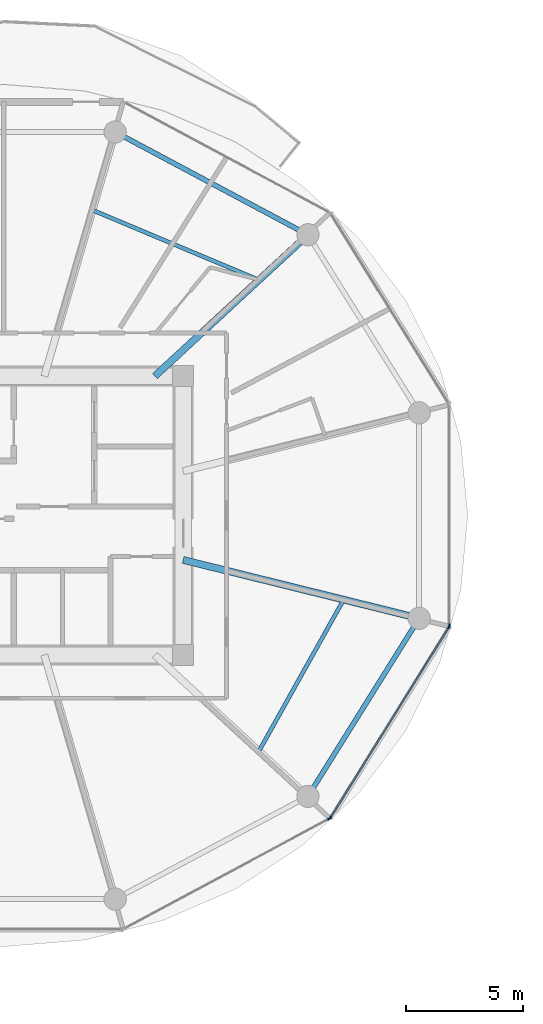
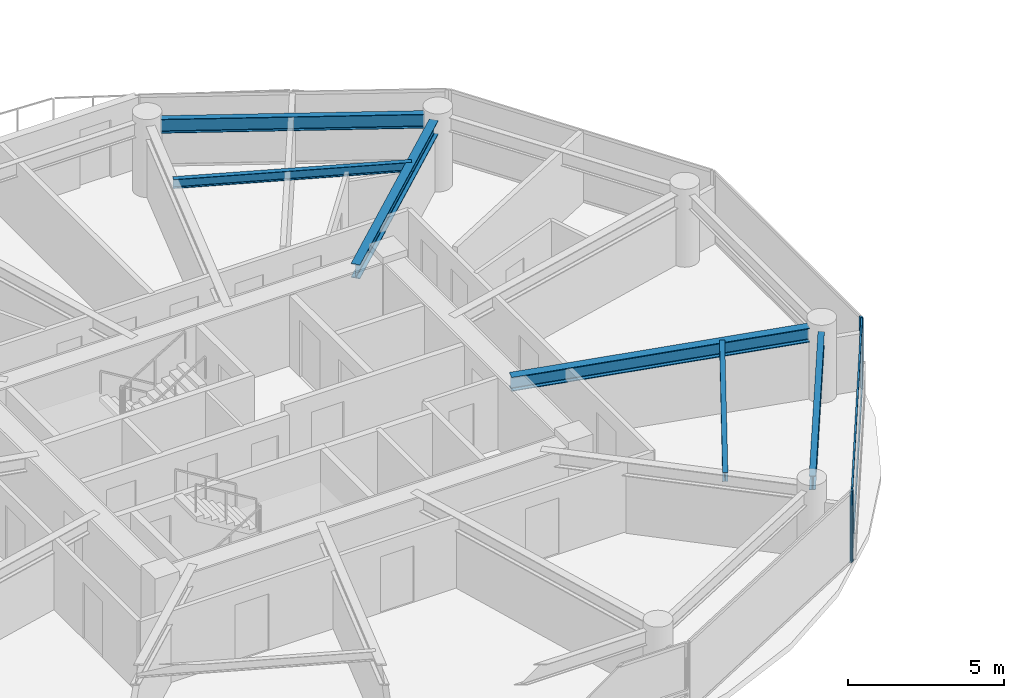
# One storey, part 5 of 26: 6 beams, 6 members, 3 elements without a shape of their own.
"""IFC4 building model written with IfcOpenShell, lengths in metres."""

from ifc_helpers import new_model, si_unit, direction, frame, origin, origin_2d, place, context, subcontext, project, spatial, rectangle, i_section, extrude, source, transform, mapped, material, layer, layer_set, material_profile, profile_set, type_object, type_shapes, element, aggregate, save


model = new_model("IFC4")

# Units and contexts
model_context = context("Model", 3, precision=1e-05, world=origin(), true_north=direction((0.0, 1.0)))
body_context = subcontext(model_context, "Body", "Model", "MODEL_VIEW")
ifc_project = project(units=[si_unit("LENGTHUNIT", "METRE"), si_unit("AREAUNIT", "SQUARE_METRE"), si_unit("VOLUMEUNIT", "CUBIC_METRE"), si_unit("PLANEANGLEUNIT", "RADIAN"), si_unit("MASSUNIT", "GRAM", prefix="KILO")], contexts=[model_context])

# Site, building, storey
site_placement = place(None, origin())
site = spatial("IfcSite", under=ifc_project, at=site_placement, CompositionType="ELEMENT")
building_placement = place(site_placement, origin())
building = spatial("IfcBuilding", under=site, at=building_placement, Name="Norrkilde Senior Care Towers", CompositionType="ELEMENT")
storey_placement = place(building_placement, frame((0.0, 0.0, 24.64990234375)))
storey = spatial("IfcBuildingStorey", under=building, at=storey_placement, Name="L06", CompositionType="ELEMENT", Elevation=24.64990234375)

# Beams
ifc_material_1 = material(Name="Steel S355", Category="steel")
ifc_material_profile_1 = material_profile(ifc_material_1, i_section(OverallWidth=0.2099609375, OverallDepth=0.550048828125, WebThickness=0.010986328125, FlangeThickness=0.01708984375, FilletRadius=0.02392578125, at=origin_2d()), Name="IPE 550")
ifc_profile_set_1 = profile_set([ifc_material_profile_1], Name="Steel S355")
beam_type_1 = type_object("IfcBeamType", Name="Perimeter Ring Spandrel Z1 IPE550", PredefinedType="SPANDREL", material=ifc_profile_set_1)
shared_shape_1 = source(origin(), body_context, "Body", "SweptSolid", [
    extrude(i_section(OverallWidth=0.2099609375, OverallDepth=0.550048828125, WebThickness=0.010986328125, FlangeThickness=0.01708984375, FilletRadius=0.02392578125, at=origin_2d()), origin(), (0.0, 0.0, 1.0), 8.090576171875),
])
beam_1_placement = place(storey_placement, frame((-14.7939453125, -11.61669921875, 2.51513671875), z_axis=(0.530004364821, 0.84799491347, 0.0), x_axis=(-0.84799491347, 0.530004364821, 0.0)))
element("IfcBeam", 1, at=beam_1_placement, inside=storey, type_object=beam_type_1, Name="L06 Drum W Perimeter Spandrel 11", PredefinedType="SPANDREL", context=body_context, shape_type="MappedRepresentation", body=[
    mapped(shared_shape_1, transform((0.0, 0.0, 0.0), x_axis=(1.0, 0.0, 0.0), y_axis=(0.0, 1.0, 0.0), z_axis=(0.0, 0.0, 1.0), scale=1.0)),
])
ifc_material_profile_2 = material_profile(ifc_material_1, i_section(OverallWidth=0.300048828125, OverallDepth=0.550048828125, WebThickness=0.014892578125, FlangeThickness=0.029052734375, FilletRadius=0.027099609375, at=origin_2d()), Name="HEB 550")
ifc_profile_set_2 = profile_set([ifc_material_profile_2], Name="Steel S355")
beam_type_2 = type_object("IfcBeamType", Name="Radial Floor Beam Z1 HEB550", PredefinedType="BEAM", material=ifc_profile_set_2)
shared_shape_2 = source(origin(), body_context, "Body", "SweptSolid", [
    extrude(i_section(OverallWidth=0.300048828125, OverallDepth=0.550048828125, WebThickness=0.014892578125, FlangeThickness=0.029052734375, FilletRadius=0.027099609375, at=origin_2d()), origin(), (0.0, 0.0, 1.0), 9.94384765625),
])
beam_2_placement = place(storey_placement, frame((-20.35009765625, -1.893310546875, 2.51513671875), z_axis=(0.970707425182, -0.240264634718, 0.0), x_axis=(0.240264634718, 0.970707425182, 0.0)))
element("IfcBeam", 2, at=beam_2_placement, inside=storey, type_object=beam_type_2, Name="L06 Drum W Radial Floor Beam 12", PredefinedType="BEAM", context=body_context, shape_type="MappedRepresentation", body=[
    mapped(shared_shape_2, transform((0.0, 0.0, 0.0), x_axis=(1.0, 0.0, 0.0), y_axis=(0.0, 1.0, 0.0), z_axis=(0.0, 0.0, 1.0), scale=1.0)),
])
shared_shape_3 = source(origin(), body_context, "Body", "SweptSolid", [
    extrude(i_section(OverallWidth=0.2099609375, OverallDepth=0.550048828125, WebThickness=0.010986328125, FlangeThickness=0.01708984375, FilletRadius=0.02392578125, at=origin_2d()), origin(), (0.0, 0.0, 1.0), 8.452880859375),
])
type_shapes(beam_type_1, [shared_shape_1, shared_shape_3])
beam_3_placement = place(storey_placement, frame((-15.408447265625, 12.190185546875, 2.51513671875), z_axis=(-0.882368931134, 0.470558252898, 0.0), x_axis=(-0.470558252898, -0.882368931134, 0.0)))
element("IfcBeam", 3, at=beam_3_placement, inside=storey, type_object=beam_type_1, Name="L06 Drum W Perimeter Spandrel 02", PredefinedType="SPANDREL", context=body_context, shape_type="MappedRepresentation", body=[
    mapped(shared_shape_3, transform((0.0, 0.0, 0.0), x_axis=(1.0, 0.0, 0.0), y_axis=(0.0, 1.0, 0.0), z_axis=(0.0, 0.0, 1.0), scale=1.0)),
])
shared_shape_4 = source(origin(), body_context, "Body", "SweptSolid", [
    extrude(i_section(OverallWidth=0.300048828125, OverallDepth=0.550048828125, WebThickness=0.014892578125, FlangeThickness=0.029052734375, FilletRadius=0.027099609375, at=origin_2d()), origin(), (0.0, 0.0, 1.0), 8.459716796875),
])
type_shapes(beam_type_2, [shared_shape_2, shared_shape_4])
beam_4_placement = place(storey_placement, frame((-21.55859375, 5.949951171875, 2.51513671875), z_axis=(0.734573269108, 0.678529374686, 0.0), x_axis=(-0.678529374686, 0.734573269108, 0.0)))
element("IfcBeam", 4, at=beam_4_placement, inside=storey, type_object=beam_type_2, Name="L06 Drum W Radial Floor Beam 02", PredefinedType="BEAM", context=body_context, shape_type="MappedRepresentation", body=[
    mapped(shared_shape_4, transform((0.0, 0.0, 0.0), x_axis=(1.0, 0.0, 0.0), y_axis=(0.0, 1.0, 0.0), z_axis=(0.0, 0.0, 1.0), scale=1.0)),
])
ifc_material_profile_3 = material_profile(ifc_material_1, i_section(OverallWidth=0.169921875, OverallDepth=0.360107421875, WebThickness=0.008056640625, FlangeThickness=0.0126953125, FilletRadius=0.01806640625, at=origin_2d()), Name="IPE 360")
ifc_profile_set_3 = profile_set([ifc_material_profile_3], Name="Steel S355")
beam_type_3 = type_object("IfcBeamType", Name="Secondary Floor Joist IPE360", PredefinedType="JOIST", material=ifc_profile_set_3)
shared_shape_5 = source(origin(), body_context, "Body", "SweptSolid", [
    extrude(i_section(OverallWidth=0.169921875, OverallDepth=0.360107421875, WebThickness=0.008056640625, FlangeThickness=0.0126953125, FilletRadius=0.01806640625, at=origin_2d()), origin(), (0.0, 0.0, 1.0), 7.703857421875),
])
beam_5_placement = place(storey_placement, frame((-17.115478515625, 10.05419921875, 2.610107421875), z_axis=(-0.921982784465, 0.387230868023, 0.0), x_axis=(-0.387230868023, -0.921982784465, 0.0)))
element("IfcBeam", 5, at=beam_5_placement, inside=storey, type_object=beam_type_3, Name="L06 Drum W Secondary Floor Joist 1", PredefinedType="JOIST", context=body_context, shape_type="MappedRepresentation", body=[
    mapped(shared_shape_5, transform((0.0, 0.0, 0.0), x_axis=(1.0, 0.0, 0.0), y_axis=(0.0, 1.0, 0.0), z_axis=(0.0, 0.0, 1.0), scale=1.0)),
])
shared_shape_6 = source(origin(), body_context, "Body", "SweptSolid", [
    extrude(i_section(OverallWidth=0.169921875, OverallDepth=0.360107421875, WebThickness=0.008056640625, FlangeThickness=0.0126953125, FilletRadius=0.01806640625, at=origin_2d()), origin(), (0.0, 0.0, 1.0), 7.40771484375),
])
type_shapes(beam_type_3, [shared_shape_5, shared_shape_6])
beam_6_placement = place(storey_placement, frame((-17.115478515625, -10.05419921875, 2.610107421875), z_axis=(0.488167754092, 0.872749817453, 0.0), x_axis=(-0.872749817453, 0.488167754092, 0.0)))
element("IfcBeam", 6, at=beam_6_placement, inside=storey, type_object=beam_type_3, Name="L06 Drum W Secondary Floor Joist 4", PredefinedType="JOIST", context=body_context, shape_type="MappedRepresentation", body=[
    mapped(shared_shape_6, transform((0.0, 0.0, 0.0), x_axis=(1.0, 0.0, 0.0), y_axis=(0.0, 1.0, 0.0), z_axis=(0.0, 0.0, 1.0), scale=1.0)),
])

# Curtain wall, member
ifc_material_2 = material(Name="Triple Low-E Insulated Glazing", Category="glass")
ifc_layer = layer(ifc_material_2, 0.199951171875)
ifc_layer_set = layer_set([ifc_layer], Name="Triple Low-E Insulated Glazing")
curtain_wall_type = type_object("IfcCurtainWallType", Name="CW2 Zone 1 Memory Care Curtain Wall", PredefinedType="NOTDEFINED", material=ifc_layer_set)
curtain_wall_1_placement = place(storey_placement, origin())
curtain_wall_1 = element("IfcCurtainWall", 7, at=curtain_wall_1_placement, inside=storey, type_object=curtain_wall_type, Name="L06 Drum W Curtain Wall 09", PredefinedType="NOTDEFINED")
ifc_material_3 = material(Name="Anodised Aluminium", Category="aluminium")
ifc_material_profile_4 = material_profile(ifc_material_3, rectangle(XDim=0.06494140625, YDim=0.159912109375, at=origin_2d()), Name="ALU MULL 65x160")
ifc_profile_set_4 = profile_set([ifc_material_profile_4], Name="Anodised Aluminium")
member_type_1 = type_object("IfcMemberType", Name="Curtain Wall Mullion Z1-Z2 65x160", PredefinedType="MULLION", material=ifc_profile_set_4)
shared_shape_7 = source(origin(), body_context, "Body", "SweptSolid", [
    extrude(rectangle(XDim=0.06494140625, YDim=0.159912109375, at=origin_2d()), origin(), (0.0, 0.0, 1.0), 2.7900390625),
])
type_shapes(member_type_1, [shared_shape_7])
member_1_placement = place(storey_placement, frame((-14.11279296875, -12.941162109375, 0.0), z_axis=(0.0, 0.0, 1.0), x_axis=(0.472607802456, -0.881272866403, 0.0)))
member_1 = element("IfcMember", 8, at=member_1_placement, type_object=member_type_1, Name="CW-2 mullion 1", PredefinedType="MULLION", context=body_context, shape_type="MappedRepresentation", body=[
    mapped(shared_shape_7, transform((0.0, 0.0, 0.0), x_axis=(1.0, 0.0, 0.0), y_axis=(0.0, 1.0, 0.0), z_axis=(0.0, 0.0, 1.0), scale=1.0)),
])
aggregate(curtain_wall_1, [member_1])

# Curtain wall, members
curtain_wall_2_placement = place(storey_placement, origin())
curtain_wall_2 = element("IfcCurtainWall", 9, at=curtain_wall_2_placement, inside=storey, type_object=curtain_wall_type, Name="L06 Drum W Curtain Wall 10", PredefinedType="NOTDEFINED")
member_2_placement = place(storey_placement, frame((-9.0078125, -4.7587890625, 0.0), z_axis=(0.0, 0.0, 1.0), x_axis=(0.849305943117, -0.527900951871, 0.0)))
member_2 = element("IfcMember", 10, at=member_2_placement, type_object=member_type_1, Name="CW-2 mullion 1", PredefinedType="MULLION", context=body_context, shape_type="MappedRepresentation", body=[
    mapped(shared_shape_7, transform((0.0, 0.0, 0.0), x_axis=(1.0, 0.0, 0.0), y_axis=(0.0, 1.0, 0.0), z_axis=(0.0, 0.0, 1.0), scale=1.0)),
])
member_3_placement = place(storey_placement, frame((-14.06689453125, -12.898193359375, 0.0), z_axis=(0.0, 0.0, 1.0), x_axis=(0.849305943117, -0.527900951871, 0.0)))
member_3 = element("IfcMember", 11, at=member_3_placement, type_object=member_type_1, Name="CW-2 mullion 2", PredefinedType="MULLION", context=body_context, shape_type="MappedRepresentation", body=[
    mapped(shared_shape_7, transform((0.0, 0.0, 0.0), x_axis=(1.0, 0.0, 0.0), y_axis=(0.0, 1.0, 0.0), z_axis=(0.0, 0.0, 1.0), scale=1.0)),
])

# Curtain wall, member
curtain_wall_3_placement = place(storey_placement, origin())
curtain_wall_3 = element("IfcCurtainWall", 12, at=curtain_wall_3_placement, inside=storey, type_object=curtain_wall_type, Name="L06 Drum W Curtain Wall 11", PredefinedType="NOTDEFINED")
member_4_placement = place(storey_placement, frame((-8.990478515625, -4.69873046875, 0.0), z_axis=(0.0, 0.0, 1.0), x_axis=(1.0, 0.0, 0.0)))
member_4 = element("IfcMember", 13, at=member_4_placement, type_object=member_type_1, Name="CW-2 mullion 2", PredefinedType="MULLION", context=body_context, shape_type="MappedRepresentation", body=[
    mapped(shared_shape_7, transform((0.0, 0.0, 0.0), x_axis=(1.0, 0.0, 0.0), y_axis=(0.0, 1.0, 0.0), z_axis=(0.0, 0.0, 1.0), scale=1.0)),
])
aggregate(curtain_wall_3, [member_4])

# Member
ifc_material_profile_5 = material_profile(ifc_material_3, rectangle(XDim=0.06005859375, YDim=0.1201171875, at=origin_2d()), Name="ALU TRAN 60x120")
ifc_profile_set_5 = profile_set([ifc_material_profile_5], Name="Anodised Aluminium")
member_type_2 = type_object("IfcMemberType", Name="Curtain Wall Transom Typical 60x120", PredefinedType="USERDEFINED", material=ifc_profile_set_5)
shared_shape_8 = source(origin(), body_context, "Body", "SweptSolid", [
    extrude(rectangle(XDim=0.06005859375, YDim=0.1201171875, at=origin_2d()), origin(), (0.0, 0.0, 1.0), 9.5185546875),
])
type_shapes(member_type_2, [shared_shape_8])
member_5_placement = place(storey_placement, frame((-9.02490234375, -4.786376953125, 0.030029296875), z_axis=(-0.527901620669, -0.849305527413, 0.0), x_axis=(0.849305527413, -0.527901620669, 0.0)))
member_5 = element("IfcMember", 14, at=member_5_placement, type_object=member_type_2, Name="CW-2 transom 1.1", ObjectType="TRANSOM", PredefinedType="USERDEFINED", context=body_context, shape_type="MappedRepresentation", body=[
    mapped(shared_shape_8, transform((0.0, 0.0, 0.0), x_axis=(1.0, 0.0, 0.0), y_axis=(0.0, 1.0, 0.0), z_axis=(0.0, 0.0, 1.0), scale=1.0)),
])

member_6_placement = place(storey_placement, frame((-9.02490234375, -4.786376953125, 2.760009765625), z_axis=(-0.527901620669, -0.849305527413, 0.0), x_axis=(0.849305527413, -0.527901620669, 0.0)))
member_6 = element("IfcMember", 15, at=member_6_placement, type_object=member_type_2, Name="CW-2 transom 1.2", ObjectType="TRANSOM", PredefinedType="USERDEFINED", context=body_context, shape_type="MappedRepresentation", body=[
    mapped(shared_shape_8, transform((0.0, 0.0, 0.0), x_axis=(1.0, 0.0, 0.0), y_axis=(0.0, 1.0, 0.0), z_axis=(0.0, 0.0, 1.0), scale=1.0)),
])

aggregate(curtain_wall_2, [member_2, member_3, member_5, member_6])

save(model, "model.ifc")
